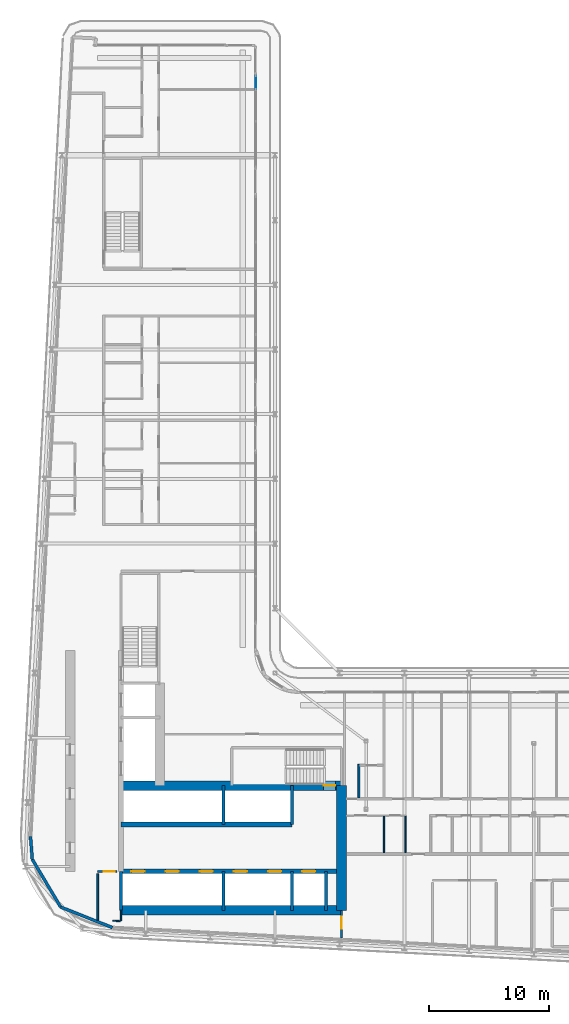
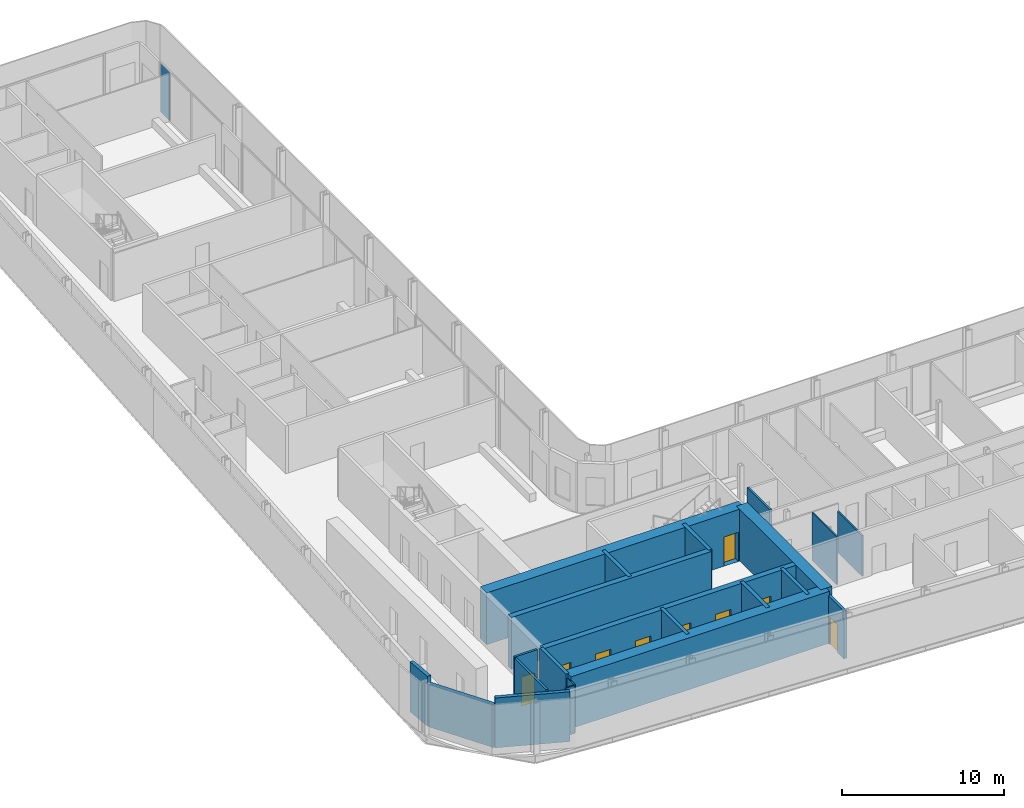
# One storey, part 15 of 30: 22 walls, 9 doors, 1 plate, 9 openings, 1 element without a shape of its own.
"""IFC4 building model written with IfcOpenShell, lengths in metres."""

from ifc_helpers import new_model, si_unit, direction, frame, frame_2d, origin, origin_2d, place, context, subcontext, project, spatial, rectangle, extrude, source, transform, mapped, material, layer, layer_set, type_object, element, fill, aggregate, save


model = new_model("IFC4")

# Units and contexts
model_context = context("Model", 3, precision=1e-05, world=origin(), true_north=direction((0.0, 1.0)))
body_context = subcontext(model_context, "Body", "Model", "MODEL_VIEW")
ifc_project = project(units=[si_unit("LENGTHUNIT", "METRE"), si_unit("AREAUNIT", "SQUARE_METRE"), si_unit("VOLUMEUNIT", "CUBIC_METRE"), si_unit("PLANEANGLEUNIT", "RADIAN"), si_unit("MASSUNIT", "GRAM", prefix="KILO")], contexts=[model_context])

# Site, building, storey
site_placement = place(None, origin())
site = spatial("IfcSite", under=ifc_project, at=site_placement, CompositionType="ELEMENT")
building_placement = place(site_placement, origin())
building = spatial("IfcBuilding", under=site, at=building_placement, Name="Kheshtan School and Residences Tower", CompositionType="ELEMENT")
storey_placement = place(building_placement, frame((0.0, 0.0, 199.39990234375)))
storey = spatial("IfcBuildingStorey", under=building, at=storey_placement, Name="L47", CompositionType="ELEMENT", Elevation=199.39990234375)

# Curtain wall, plate
ifc_material_1 = material(Name="Clear low-e glass in thermally broken aluminium frame", Category="aluminium")
ifc_layer_1 = layer(ifc_material_1, 0.199951171875)
ifc_layer_set_1 = layer_set([ifc_layer_1], Name="Curtain wall CW-L")
curtain_wall_type = type_object("IfcCurtainWallType", Name="Curtain wall CW-L", PredefinedType="NOTDEFINED", material=ifc_layer_set_1)
curtain_wall_placement = place(storey_placement, origin())
curtain_wall = element("IfcCurtainWall", 1, at=curtain_wall_placement, inside=storey, type_object=curtain_wall_type, Name="Curtain wall CWL8c", PredefinedType="NOTDEFINED")
ifc_layer_2 = layer(ifc_material_1, 0.031982421875)
ifc_layer_set_2 = layer_set([ifc_layer_2], Name="CW-L glass panel")
plate_type = type_object("IfcPlateType", Name="CW-L glass panel", PredefinedType="CURTAIN_PANEL", material=ifc_layer_set_2)
plate_placement = place(storey_placement, frame((46.0, 94.885009765625, 0.000244140625), z_axis=(0.0, 0.0, 1.0), x_axis=(0.0, -1.0, 0.0)))
plate = element("IfcPlate", 2, at=plate_placement, type_object=plate_type, Name="CWL8c panel 1.1", PredefinedType="CURTAIN_PANEL", context=body_context, shape_type="SweptSolid", body=[
    extrude(rectangle(XDim=1.110107421875, YDim=0.031982421875, at=origin_2d()), origin(), (0.0, 0.0, 1.0), 3.6298828125),
])
aggregate(curtain_wall, [plate])

# Wall, openings, doors
ifc_material_2 = material(Name="Concrete C50/60", Category="concrete")
ifc_layer_3 = layer(ifc_material_2, 0.39990234375)
ifc_layer_set_3 = layer_set([ifc_layer_3], Name="Core wall 400 Concrete C50/60")
wall_type_1 = type_object("IfcWallType", Name="Core wall 400 Concrete C50/60", PredefinedType="SHEAR", material=ifc_layer_set_3)
wall_1_placement = place(storey_placement, frame((34.75, 29.050048828125, 0.0), z_axis=(0.0, 0.0, 1.0), x_axis=(1.0, 0.0, 0.0)))
wall_1 = element("IfcWall", 3, at=wall_1_placement, inside=storey, type_object=wall_type_1, Name="Core wall CW-HALL-S1", PredefinedType="SHEAR", context=body_context, shape_type="SweptSolid", body=[
    extrude(rectangle(XDim=18.39990234375, YDim=0.39990234375, at=frame_2d((9.199951171875, 0.0))), origin(), (0.0, 0.0, 1.0), 3.900146484375),
])
opening_1_placement = place(wall_1_placement, frame((0.875, 0.0, 0.0)))
opening_1 = element("IfcOpeningElement", 4, at=opening_1_placement, cuts=wall_1, Name="Opening LD", PredefinedType="OPENING", context=body_context, shape_type="SweptSolid", body=[
    extrude(rectangle(XDim=1.10009765625, YDim=2.199951171875, at=frame_2d((0.550048828125, 1.10009765625))), frame((0.0, 0.2099609375, 0.0), z_axis=(0.0, -1.0, 0.0), x_axis=(1.0, 0.0, 0.0)), (0.0, 0.0, 1.0), 0.419921875),
])
opening_2_placement = place(wall_1_placement, frame((3.72509765625, 0.0, 0.0)))
opening_2 = element("IfcOpeningElement", 5, at=opening_2_placement, cuts=wall_1, Name="Opening LD", PredefinedType="OPENING", context=body_context, shape_type="SweptSolid", body=[
    extrude(rectangle(XDim=1.10009765625, YDim=2.199951171875, at=frame_2d((0.550048828125, 1.10009765625))), frame((0.0, 0.2099609375, 0.0), z_axis=(0.0, -1.0, 0.0), x_axis=(1.0, 0.0, 0.0)), (0.0, 0.0, 1.0), 0.419921875),
])
opening_3_placement = place(wall_1_placement, frame((6.574951171875, 0.0, 0.0)))
opening_3 = element("IfcOpeningElement", 6, at=opening_3_placement, cuts=wall_1, Name="Opening LD", PredefinedType="OPENING", context=body_context, shape_type="SweptSolid", body=[
    extrude(rectangle(XDim=1.10009765625, YDim=2.199951171875, at=frame_2d((0.550048828125, 1.10009765625))), frame((0.0, 0.2099609375, 0.0), z_axis=(0.0, -1.0, 0.0), x_axis=(1.0, 0.0, 0.0)), (0.0, 0.0, 1.0), 0.419921875),
])
opening_4_placement = place(wall_1_placement, frame((9.425048828125, 0.0, 0.0)))
opening_4 = element("IfcOpeningElement", 7, at=opening_4_placement, cuts=wall_1, Name="Opening LD", PredefinedType="OPENING", context=body_context, shape_type="SweptSolid", body=[
    extrude(rectangle(XDim=1.10009765625, YDim=2.199951171875, at=frame_2d((0.550048828125, 1.10009765625))), frame((0.0, 0.2099609375, 0.0), z_axis=(0.0, -1.0, 0.0), x_axis=(1.0, 0.0, 0.0)), (0.0, 0.0, 1.0), 0.419921875),
])
opening_5_placement = place(wall_1_placement, frame((12.27490234375, 0.0, 0.0)))
opening_5 = element("IfcOpeningElement", 8, at=opening_5_placement, cuts=wall_1, Name="Opening LD", PredefinedType="OPENING", context=body_context, shape_type="SweptSolid", body=[
    extrude(rectangle(XDim=1.10009765625, YDim=2.199951171875, at=frame_2d((0.550048828125, 1.10009765625))), frame((0.0, 0.2099609375, 0.0), z_axis=(0.0, -1.0, 0.0), x_axis=(1.0, 0.0, 0.0)), (0.0, 0.0, 1.0), 0.419921875),
])
opening_6_placement = place(wall_1_placement, frame((15.125, 0.0, 0.0)))
opening_6 = element("IfcOpeningElement", 9, at=opening_6_placement, cuts=wall_1, Name="Opening LD", PredefinedType="OPENING", context=body_context, shape_type="SweptSolid", body=[
    extrude(rectangle(XDim=1.10009765625, YDim=2.199951171875, at=frame_2d((0.550048828125, 1.10009765625))), frame((0.0, 0.2099609375, 0.0), z_axis=(0.0, -1.0, 0.0), x_axis=(1.0, 0.0, 0.0)), (0.0, 0.0, 1.0), 0.419921875),
])
ifc_material_3 = material(Name="Stainless steel door leaves", Category="steel")
door_type_1 = type_object("IfcDoorType", Name="Lift landing door 1100", OperationType="SLIDING_TO_LEFT", PredefinedType="DOOR", material=ifc_material_3)
shared_shape_1 = source(origin(), body_context, "Body", "SweptSolid", [
    extrude(rectangle(XDim=1.10009765625, YDim=2.199951171875, at=frame_2d((0.550048828125, 1.10009765625))), frame((0.0, 0.02490234375, 0.0), z_axis=(0.0, -1.0, 0.0), x_axis=(1.0, 0.0, 0.0)), (0.0, 0.0, 1.0), 0.050048828125),
])
door_1_placement = place(opening_1_placement, origin())
door_1 = element("IfcDoor", 10, at=door_1_placement, inside=storey, type_object=door_type_1, Name="Lift P7 landing door", OperationType="SLIDING_TO_LEFT", OverallHeight=2.199951171875, OverallWidth=1.10009765625, PredefinedType="DOOR", context=body_context, shape_type="MappedRepresentation", body=[
    mapped(shared_shape_1, transform((0.0, 0.0, 0.0), x_axis=(1.0, 0.0, 0.0), y_axis=(0.0, 1.0, 0.0), z_axis=(0.0, 0.0, 1.0), scale=1.0)),
])
fill(opening_1, door_1)
door_2_placement = place(opening_2_placement, origin())
door_2 = element("IfcDoor", 11, at=door_2_placement, inside=storey, type_object=door_type_1, Name="Lift P8 landing door", OperationType="SLIDING_TO_LEFT", OverallHeight=2.199951171875, OverallWidth=1.10009765625, PredefinedType="DOOR", context=body_context, shape_type="MappedRepresentation", body=[
    mapped(shared_shape_1, transform((0.0, 0.0, 0.0), x_axis=(1.0, 0.0, 0.0), y_axis=(0.0, 1.0, 0.0), z_axis=(0.0, 0.0, 1.0), scale=1.0)),
])
fill(opening_2, door_2)
door_3_placement = place(opening_3_placement, origin())
door_3 = element("IfcDoor", 12, at=door_3_placement, inside=storey, type_object=door_type_1, Name="Lift P9 landing door", OperationType="SLIDING_TO_LEFT", OverallHeight=2.199951171875, OverallWidth=1.10009765625, PredefinedType="DOOR", context=body_context, shape_type="MappedRepresentation", body=[
    mapped(shared_shape_1, transform((0.0, 0.0, 0.0), x_axis=(1.0, 0.0, 0.0), y_axis=(0.0, 1.0, 0.0), z_axis=(0.0, 0.0, 1.0), scale=1.0)),
])
fill(opening_3, door_3)
door_4_placement = place(opening_4_placement, origin())
door_4 = element("IfcDoor", 13, at=door_4_placement, inside=storey, type_object=door_type_1, Name="Lift P10 landing door", OperationType="SLIDING_TO_LEFT", OverallHeight=2.199951171875, OverallWidth=1.10009765625, PredefinedType="DOOR", context=body_context, shape_type="MappedRepresentation", body=[
    mapped(shared_shape_1, transform((0.0, 0.0, 0.0), x_axis=(1.0, 0.0, 0.0), y_axis=(0.0, 1.0, 0.0), z_axis=(0.0, 0.0, 1.0), scale=1.0)),
])
fill(opening_4, door_4)
door_5_placement = place(opening_5_placement, origin())
door_5 = element("IfcDoor", 14, at=door_5_placement, inside=storey, type_object=door_type_1, Name="Lift P11 landing door", OperationType="SLIDING_TO_LEFT", OverallHeight=2.199951171875, OverallWidth=1.10009765625, PredefinedType="DOOR", context=body_context, shape_type="MappedRepresentation", body=[
    mapped(shared_shape_1, transform((0.0, 0.0, 0.0), x_axis=(1.0, 0.0, 0.0), y_axis=(0.0, 1.0, 0.0), z_axis=(0.0, 0.0, 1.0), scale=1.0)),
])
fill(opening_5, door_5)
door_6_placement = place(opening_6_placement, origin())
door_6 = element("IfcDoor", 15, at=door_6_placement, inside=storey, type_object=door_type_1, Name="Lift FFL2 landing door", OperationType="SLIDING_TO_LEFT", OverallHeight=2.199951171875, OverallWidth=1.10009765625, PredefinedType="DOOR", context=body_context, shape_type="MappedRepresentation", body=[
    mapped(shared_shape_1, transform((0.0, 0.0, 0.0), x_axis=(1.0, 0.0, 0.0), y_axis=(0.0, 1.0, 0.0), z_axis=(0.0, 0.0, 1.0), scale=1.0)),
])
fill(opening_6, door_6)

# Walls
wall_2_placement = place(storey_placement, frame((34.75, 32.949951171875, 0.0), z_axis=(0.0, 0.0, 1.0), x_axis=(1.0, 0.0, 0.0)))
element("IfcWall", 16, at=wall_2_placement, inside=storey, type_object=wall_type_1, Name="Core wall CW-HALL-S2", PredefinedType="SHEAR", context=body_context, shape_type="SweptSolid", body=[
    extrude(rectangle(XDim=14.25, YDim=0.39990234375, at=frame_2d((7.125, 0.0))), origin(), (0.0, 0.0, 1.0), 3.900146484375),
])
ifc_material_4 = material(Name="Concrete C70/85", Category="concrete")
ifc_layer_4 = layer(ifc_material_4, 0.800048828125)
ifc_layer_set_4 = layer_set([ifc_layer_4], Name="Core wall 800 Concrete C70/85")
wall_type_2 = type_object("IfcWallType", Name="Core wall 800 Concrete C70/85", PredefinedType="SHEAR", material=ifc_layer_set_4)
wall_3_placement = place(storey_placement, frame((34.75, 25.800048828125, 0.0), z_axis=(0.0, 0.0, 1.0), x_axis=(1.0, 0.0, 0.0)))
element("IfcWall", 17, at=wall_3_placement, inside=storey, type_object=wall_type_2, Name="Core wall CW-REAR-S", PredefinedType="SHEAR", context=body_context, shape_type="SweptSolid", body=[
    extrude(rectangle(XDim=18.39990234375, YDim=0.800048828125, at=frame_2d((9.199951171875, 0.0))), origin(), (0.0, 0.0, 1.0), 3.900146484375),
])

# Wall, opening, door
wall_4_placement = place(storey_placement, frame((34.75, 36.199951171875, 0.0), z_axis=(0.0, 0.0, 1.0), x_axis=(1.0, 0.0, 0.0)))
wall_4 = element("IfcWall", 18, at=wall_4_placement, inside=storey, type_object=wall_type_2, Name="Core wall CW-FRONT-S", PredefinedType="SHEAR", context=body_context, shape_type="SweptSolid", body=[
    extrude(rectangle(XDim=18.39990234375, YDim=0.800048828125, at=frame_2d((9.199951171875, 0.0))), origin(), (0.0, 0.0, 1.0), 3.900146484375),
])
opening_7_placement = place(wall_4_placement, frame((16.89990234375, 0.0, 0.0)))
opening_7 = element("IfcOpeningElement", 19, at=opening_7_placement, cuts=wall_4, Name="Opening ST1D", PredefinedType="OPENING", context=body_context, shape_type="SweptSolid", body=[
    extrude(rectangle(XDim=1.0, YDim=2.199951171875, at=frame_2d((0.5, 1.10009765625))), frame((0.0, 0.41015625, 0.0), z_axis=(0.0, -1.0, 0.0), x_axis=(1.0, 0.0, 0.0)), (0.0, 0.0, 1.0), 0.820068359375),
])
ifc_material_5 = material(Name="Steel door leaf, galvanised", Category="steel")
door_type_2 = type_object("IfcDoorType", Name="Stair door 1100 steel 90 min", OperationType="SINGLE_SWING_LEFT", PredefinedType="DOOR", material=ifc_material_5)
shared_shape_2 = source(origin(), body_context, "Body", "SweptSolid", [
    extrude(rectangle(XDim=1.0, YDim=2.199951171875, at=frame_2d((0.5, 1.10009765625))), frame((0.0, 0.02490234375, 0.0), z_axis=(0.0, -1.0, 0.0), x_axis=(1.0, 0.0, 0.0)), (0.0, 0.0, 1.0), 0.050048828125),
])
door_7_placement = place(opening_7_placement, origin())
door_7 = element("IfcDoor", 20, at=door_7_placement, inside=storey, type_object=door_type_2, Name="Stair ST1 door", OperationType="SINGLE_SWING_RIGHT", OverallHeight=2.199951171875, OverallWidth=1.0, PredefinedType="DOOR", context=body_context, shape_type="MappedRepresentation", body=[
    mapped(shared_shape_2, transform((0.0, 0.0, 0.0), x_axis=(1.0, 0.0, 0.0), y_axis=(0.0, 1.0, 0.0), z_axis=(0.0, 0.0, 1.0), scale=1.0)),
])
fill(opening_7, door_7)

# Wall
wall_5_placement = place(storey_placement, frame((53.14990234375, 25.800048828125, 0.0), z_axis=(0.0, 0.0, 1.0), x_axis=(0.0, 1.0, 0.0)))
element("IfcWall", 21, at=wall_5_placement, inside=storey, type_object=wall_type_2, Name="Core wall CW-EAST", PredefinedType="SHEAR", context=body_context, shape_type="SweptSolid", body=[
    extrude(rectangle(XDim=10.39990234375, YDim=0.800048828125, at=frame_2d((5.199951171875, 0.0))), origin(), (0.0, 0.0, 1.0), 3.900146484375),
])

# Wall, opening, door
ifc_material_6 = material(Name="Gypsum board on steel studs with fire boards", Category="steel")
ifc_layer_5 = layer(ifc_material_6, 0.199951171875)
ifc_layer_set_5 = layer_set([ifc_layer_5], Name="Corridor wall 200")
wall_type_3 = type_object("IfcWallType", Name="Corridor wall 200", PredefinedType="PARTITIONING", material=ifc_layer_set_5)
wall_6_placement = place(storey_placement, frame((53.14990234375, 23.47216796875, 0.0), z_axis=(0.0, 0.0, 1.0), x_axis=(0.0, 1.0, 0.0)))
wall_6 = element("IfcWall", 22, at=wall_6_placement, inside=storey, type_object=wall_type_3, Name="Partition L47-032", PredefinedType="PARTITIONING", context=body_context, shape_type="SweptSolid", body=[
    extrude(rectangle(XDim=2.327880859375, YDim=0.199951171875, at=frame_2d((1.1640625, 0.0))), origin(), (0.0, 0.0, 1.0), 3.60009765625),
])
opening_8_placement = place(wall_6_placement, frame((0.784912109375, 0.0, 0.0)))
opening_8 = element("IfcOpeningElement", 23, at=opening_8_placement, cuts=wall_6, Name="Opening D46-055", PredefinedType="OPENING", context=body_context, shape_type="SweptSolid", body=[
    extrude(rectangle(XDim=1.0, YDim=2.10009765625, at=frame_2d((0.5, 1.050048828125))), frame((0.0, 0.10986328125, 0.0), z_axis=(0.0, -1.0, 0.0), x_axis=(1.0, 0.0, 0.0)), (0.0, 0.0, 1.0), 0.219970703125),
])
ifc_material_7 = material(Name="Steel-framed fire-resisting door leaf", Category="steel")
door_type_3 = type_object("IfcDoorType", Name="Fire door FD60 1000 x 2100", OperationType="SINGLE_SWING_LEFT", PredefinedType="DOOR", material=ifc_material_7)
shared_shape_3 = source(origin(), body_context, "Body", "SweptSolid", [
    extrude(rectangle(XDim=1.0, YDim=2.10009765625, at=frame_2d((0.5, 1.050048828125))), frame((0.0, 0.02490234375, 0.0), z_axis=(0.0, -1.0, 0.0), x_axis=(1.0, 0.0, 0.0)), (0.0, 0.0, 1.0), 0.050048828125),
])
door_8_placement = place(opening_8_placement, origin())
door_8 = element("IfcDoor", 24, at=door_8_placement, inside=storey, type_object=door_type_3, Name="Door D46-055", OperationType="SINGLE_SWING_RIGHT", OverallHeight=2.10009765625, OverallWidth=1.0, PredefinedType="DOOR", context=body_context, shape_type="MappedRepresentation", body=[
    mapped(shared_shape_3, transform((0.0, 0.0, 0.0), x_axis=(1.0, 0.0, 0.0), y_axis=(0.0, 1.0, 0.0), z_axis=(0.0, 0.0, 1.0), scale=1.0)),
])
fill(opening_8, door_8)

# Walls
ifc_material_8 = material(Name="Concrete C40/50 with ceramic cladding and mineral wool insulation", Category="concrete")
ifc_layer_6 = layer(ifc_material_8, 0.25)
ifc_layer_set_6 = layer_set([ifc_layer_6], Name="External wall 250 ceramic clad")
wall_type_4 = type_object("IfcWallType", Name="External wall 250 ceramic clad", PredefinedType="SOLIDWALL", material=ifc_layer_set_6)
wall_7_placement = place(storey_placement, frame((34.0390625, 24.35302734375, 0.0), z_axis=(0.0, 0.0, 1.0), x_axis=(-0.929352825399, 0.369192803184, 0.0)))
element("IfcWall", 25, at=wall_7_placement, inside=storey, type_object=wall_type_4, Name="External wall L47 1", PredefinedType="SOLIDWALL", context=body_context, shape_type="SweptSolid", body=[
    extrude(rectangle(XDim=4.656005859375, YDim=0.25, at=frame_2d((2.328125, 0.0))), origin(), (0.0, 0.0, 1.0), 3.75),
])
wall_8_placement = place(storey_placement, frame((29.7119140625, 26.072021484375, 0.0), z_axis=(0.0, 0.0, 1.0), x_axis=(-0.511028049012, 0.859564036662, 0.0)))
element("IfcWall", 26, at=wall_8_placement, inside=storey, type_object=wall_type_4, Name="External wall L47 2", PredefinedType="SOLIDWALL", context=body_context, shape_type="SweptSolid", body=[
    extrude(rectangle(XDim=4.633544921875, YDim=0.25, at=frame_2d((2.31689453125, 0.0))), origin(), (0.0, 0.0, 1.0), 3.217041015625),
])
wall_9_placement = place(storey_placement, frame((27.343994140625, 30.054931640625, 0.0), z_axis=(0.0, 0.0, 1.0), x_axis=(-0.077571675317, 0.99698677784, 0.0)))
element("IfcWall", 27, at=wall_9_placement, inside=storey, type_object=wall_type_4, Name="External wall L47 3", PredefinedType="SOLIDWALL", context=body_context, shape_type="SweptSolid", body=[
    extrude(rectangle(XDim=1.919921875, YDim=0.25, at=frame_2d((0.9599609375, 0.0))), origin(), (0.0, 0.0, 1.0), 3.75),
])
ifc_material_9 = material(Name="Gypsum board on steel studs", Category="steel")
ifc_layer_7 = layer(ifc_material_9, 0.10009765625)
ifc_layer_set_7 = layer_set([ifc_layer_7], Name="Gypsum partition 100")
wall_type_5 = type_object("IfcWallType", Name="Gypsum partition 100", PredefinedType="PARTITIONING", material=ifc_layer_set_7)
wall_10_placement = place(storey_placement, frame((34.06298828125, 24.928955078125, 0.0), z_axis=(0.0, 0.0, 1.0), x_axis=(0.998663963404, -0.051674831376, 0.0)))
element("IfcWall", 28, at=wall_10_placement, inside=storey, type_object=wall_type_5, Name="Partition L47-017", PredefinedType="PARTITIONING", context=body_context, shape_type="SweptSolid", body=[
    extrude(rectangle(XDim=0.6376953125, YDim=0.10009765625, at=frame_2d((0.31884765625, 0.0))), origin(), (0.0, 0.0, 1.0), 3.60009765625),
])
wall_11_placement = place(storey_placement, frame((34.75, 24.94189453125, 0.0), z_axis=(0.0, 0.0, 1.0), x_axis=(0.0, 1.0, 0.0)))
element("IfcWall", 29, at=wall_11_placement, inside=storey, type_object=wall_type_5, Name="Partition L47-018", PredefinedType="PARTITIONING", context=body_context, shape_type="SweptSolid", body=[
    extrude(rectangle(XDim=0.858154296875, YDim=0.10009765625, at=frame_2d((0.42919921875, 0.0))), origin(), (0.0, 0.0, 1.0), 3.60009765625),
])
wall_12_placement = place(storey_placement, frame((56.699951171875, 30.60009765625, 0.0), z_axis=(0.0, 0.0, 1.0), x_axis=(0.0, 1.0, 0.0)))
element("IfcWall", 30, at=wall_12_placement, inside=storey, type_object=wall_type_5, Name="Partition L47-039", PredefinedType="PARTITIONING", context=body_context, shape_type="SweptSolid", body=[
    extrude(rectangle(XDim=3.0498046875, YDim=0.10009765625, at=frame_2d((1.52490234375, 0.0))), origin(), (0.0, 0.0, 1.0), 3.60009765625),
])
wall_13_placement = place(storey_placement, frame((58.5, 30.60009765625, 0.0), z_axis=(0.0, 0.0, 1.0), x_axis=(0.0, 1.0, 0.0)))
element("IfcWall", 31, at=wall_13_placement, inside=storey, type_object=wall_type_5, Name="Partition L47-041", PredefinedType="PARTITIONING", context=body_context, shape_type="SweptSolid", body=[
    extrude(rectangle(XDim=3.0498046875, YDim=0.10009765625, at=frame_2d((1.52490234375, 0.0))), origin(), (0.0, 0.0, 1.0), 3.072021484375),
])

# Wall, opening, door
ifc_material_10 = material(Name="Fire-board shaft wall system")
ifc_layer_8 = layer(ifc_material_10, 0.14990234375)
ifc_layer_set_8 = layer_set([ifc_layer_8], Name="Service room wall 150")
wall_type_6 = type_object("IfcWallType", Name="Service room wall 150", PredefinedType="PARTITIONING", material=ifc_layer_set_8)
wall_14_placement = place(storey_placement, frame((32.804931640625, 29.050048828125, 0.0), z_axis=(0.0, 0.0, 1.0), x_axis=(1.0, 0.0, 0.0)))
wall_14 = element("IfcWall", 32, at=wall_14_placement, inside=storey, type_object=wall_type_6, Name="Service room wall", PredefinedType="PARTITIONING", context=body_context, shape_type="SweptSolid", body=[
    extrude(rectangle(XDim=1.625, YDim=0.14990234375, at=frame_2d((0.8125, 0.0))), origin(), (0.0, 0.0, 1.0), 3.900146484375),
])
opening_9_placement = place(wall_14_placement, frame((0.52294921875, 0.0, 0.0)))
opening_9 = element("IfcOpeningElement", 33, at=opening_9_placement, cuts=wall_14, Name="Opening SR90", PredefinedType="OPENING", context=body_context, shape_type="SweptSolid", body=[
    extrude(rectangle(XDim=0.89990234375, YDim=2.199951171875, at=frame_2d((0.449951171875, 1.10009765625))), frame((0.0, 0.0849609375, 0.0), z_axis=(0.0, -1.0, 0.0), x_axis=(1.0, 0.0, 0.0)), (0.0, 0.0, 1.0), 0.169921875),
])
door_type_4 = type_object("IfcDoorType", Name="Service room door 900 steel 90 min", OperationType="SINGLE_SWING_LEFT", PredefinedType="DOOR", material=ifc_material_5)
shared_shape_4 = source(origin(), body_context, "Body", "SweptSolid", [
    extrude(rectangle(XDim=0.89990234375, YDim=2.199951171875, at=frame_2d((0.449951171875, 1.10009765625))), frame((0.0, 0.02490234375, 0.0), z_axis=(0.0, -1.0, 0.0), x_axis=(1.0, 0.0, 0.0)), (0.0, 0.0, 1.0), 0.050048828125),
])
door_9_placement = place(opening_9_placement, origin())
door_9 = element("IfcDoor", 34, at=door_9_placement, inside=storey, type_object=door_type_4, Name="Service room door", OperationType="SINGLE_SWING_LEFT", OverallHeight=2.199951171875, OverallWidth=0.89990234375, PredefinedType="DOOR", context=body_context, shape_type="MappedRepresentation", body=[
    mapped(shared_shape_4, transform((0.0, 0.0, 0.0), x_axis=(1.0, 0.0, 0.0), y_axis=(0.0, 1.0, 0.0), z_axis=(0.0, 0.0, 1.0), scale=1.0)),
])
fill(opening_9, door_9)

# Walls
wall_15_placement = place(storey_placement, frame((32.804931640625, 24.97998046875, 0.0), z_axis=(0.0, 0.0, 1.0), x_axis=(0.0, 1.0, 0.0)))
element("IfcWall", 35, at=wall_15_placement, inside=storey, type_object=wall_type_6, Name="Service room wall", PredefinedType="PARTITIONING", context=body_context, shape_type="SweptSolid", body=[
    extrude(rectangle(XDim=3.875, YDim=0.14990234375, at=frame_2d((1.9375, 0.0))), origin(), (0.0, 0.0, 1.0), 3.900146484375),
])
ifc_layer_9 = layer(ifc_material_10, 0.25)
ifc_layer_set_9 = layer_set([ifc_layer_9], Name="Shaft lining wall 250")
wall_type_7 = type_object("IfcWallType", Name="Shaft lining wall 250", PredefinedType="PARTITIONING", material=ifc_layer_set_9)
for number, where, z_axis, x_axis, name in (
    (36, (34.75, 25.800048828125, 0.0), (0.0, 0.0, 1.0), (0.0, 1.0, 0.0), "Shaft lining wall"),
    (37, (43.300048828125, 25.800048828125, 0.0), (0.0, 0.0, 1.0), (0.0, 1.0, 0.0), "Shaft lining wall"),
    (38, (43.300048828125, 32.949951171875, 0.0), (0.0, 0.0, 1.0), (0.0, 1.0, 0.0), "Shaft lining wall"),
    (39, (49.0, 25.800048828125, 0.0), (0.0, 0.0, 1.0), (0.0, 1.0, 0.0), "Shaft lining wall"),
    (40, (49.0, 32.949951171875, 0.0), (0.0, 0.0, 1.0), (0.0, 1.0, 0.0), "Shaft lining wall"),
    (41, (51.85009765625, 25.800048828125, 0.0), (0.0, 0.0, 1.0), (0.0, 1.0, 0.0), "Shaft lining wall"),
):
    element("IfcWall", number, at=place(storey_placement, frame(where, z_axis=z_axis, x_axis=x_axis)), inside=storey, type_object=wall_type_7, Name=name, PredefinedType="PARTITIONING", context=body_context, shape_type="SweptSolid", body=[
        extrude(rectangle(XDim=3.25, YDim=0.25, at=frame_2d((1.625, 0.0))), origin(), (0.0, 0.0, 1.0), 3.900146484375),
    ])
ifc_material_11 = material(Name="Moisture-resistant gypsum board on steel studs", Category="steel")
ifc_layer_10 = layer(ifc_material_11, 0.14990234375)
ifc_layer_set_10 = layer_set([ifc_layer_10], Name="Wet-room partition 150")
wall_type_8 = type_object("IfcWallType", Name="Wet-room partition 150", PredefinedType="PARTITIONING", material=ifc_layer_set_10)
wall_16_placement = place(storey_placement, frame((54.60009765625, 35.175048828125, 0.0), z_axis=(0.0, 0.0, 1.0), x_axis=(0.0, 1.0, 0.0)))
element("IfcWall", 42, at=wall_16_placement, inside=storey, type_object=wall_type_8, Name="Partition L47-037", PredefinedType="PARTITIONING", context=body_context, shape_type="SweptSolid", body=[
    extrude(rectangle(XDim=2.800048828125, YDim=0.14990234375, at=frame_2d((1.39990234375, 0.0))), origin(), (0.0, 0.0, 1.0), 3.60009765625),
])

save(model, "model.ifc")
